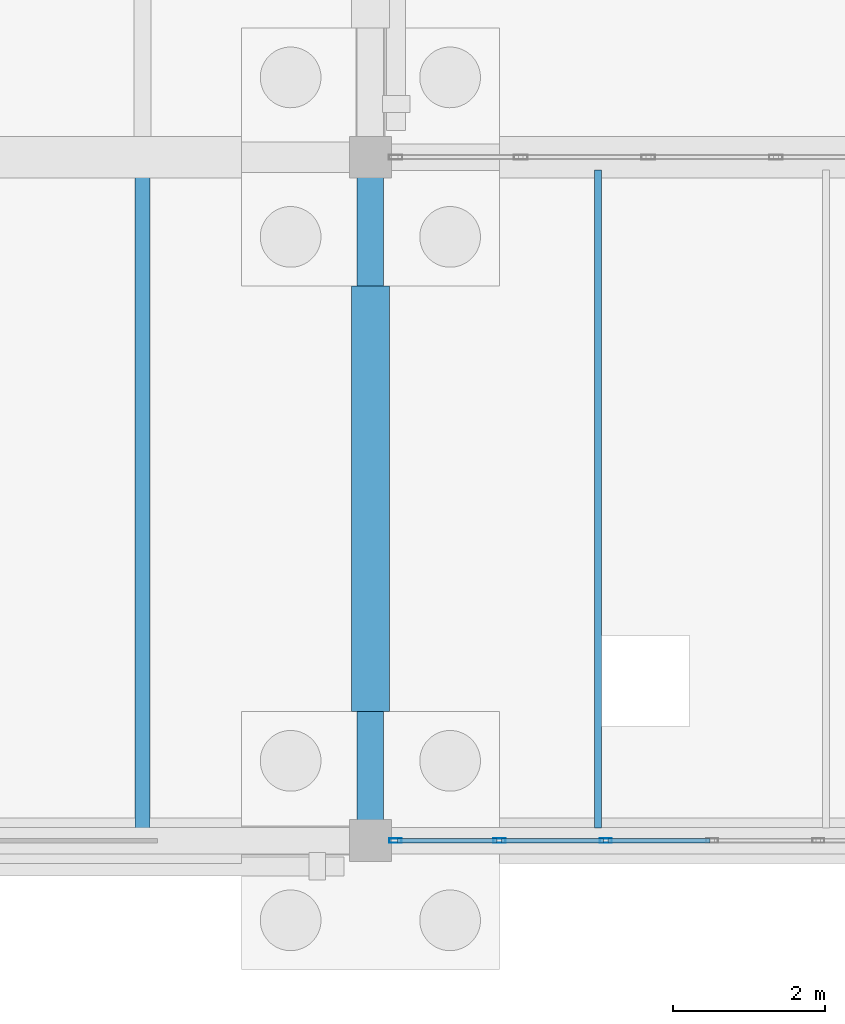
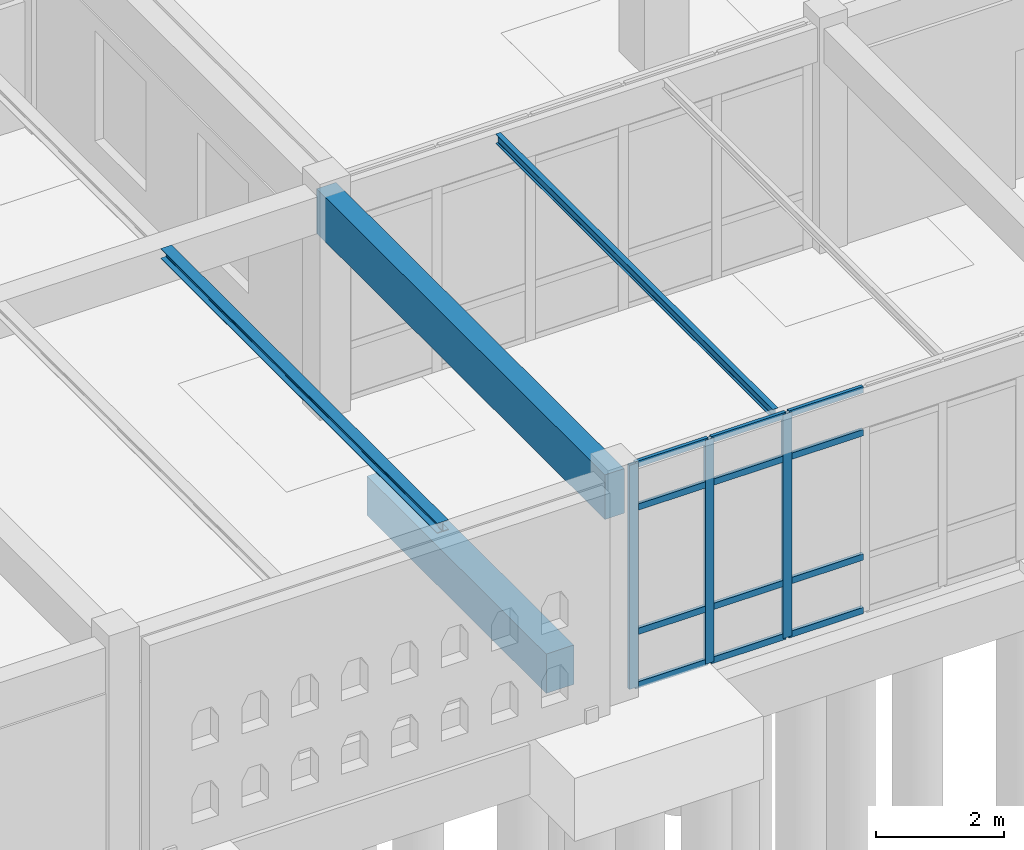
# One storey, part 24 of 186: 15 members, 4 beams, 1 element without a shape of its own.
"""IFC4 building model written with IfcOpenShell, lengths in metres."""

import ifcopenshell
import ifcopenshell.guid

model = None  # the IFC model being written
_history = None  # IfcOwnerHistory: only IFC2X3 demands one
_inside = {}  # id of a spatial element -> (the spatial element, [elements in it])
_under = {}  # id of a project, library or spatial element -> (it, [spatial elements below it])
_declared = {}  # id of a project -> (the project, [libraries it declares])
_typed = {}  # id of a type object -> (the type object, [elements of that type])
_made_of = {}  # id of a material, layer set ... -> (it, [elements and type objects made of it])


def new_model(schema):
    """Start an empty IFC model of exactly this schema.

    Asked for "IFC4X3", IfcOpenShell would pick the latest addendum, in which some entities
    have other attributes; the version numbers below select the first issue.
    IFC2X3 requires an IfcOwnerHistory on every rooted entity: one is made here for all.
    """
    global model, _history
    if schema == "IFC4X3":
        model = ifcopenshell.file(schema_version=(4, 3, 0, 0))
    else:
        model = ifcopenshell.file(schema=schema)
    _inside.clear()
    _under.clear()
    _declared.clear()
    _typed.clear()
    _made_of.clear()
    _history = None
    if model.schema == "IFC2X3":
        org = make("IfcOrganization", Name="unknown")
        user = make(
            "IfcPersonAndOrganization",
            ThePerson=make("IfcPerson", FamilyName="unknown"),
            TheOrganization=org,
        )
        app = make(
            "IfcApplication",
            ApplicationDeveloper=org,
            Version="unknown",
            ApplicationFullName="unknown",
            ApplicationIdentifier="unknown",
        )
        _history = make(
            "IfcOwnerHistory",
            OwningUser=user,
            OwningApplication=app,
            ChangeAction="ADDED",
            CreationDate=0,
        )
    return model


def make(cls, **values):
    """One entity of the class cls with the attributes given. An attribute that is None is left unset."""
    return model.create_entity(
        cls, **{name: value for name, value in values.items() if value is not None}
    )


def rooted(cls, **values):
    """An entity with a GlobalId (a new one), such as an element, a storey or a relation."""
    return make(cls, GlobalId=ifcopenshell.guid.new(), OwnerHistory=_history, **values)


def si_unit(unit_type, name, prefix=None):
    """IfcSIUnit, for example si_unit("LENGTHUNIT", "METRE", prefix="MILLI")."""
    return make("IfcSIUnit", UnitType=unit_type, Prefix=prefix, Name=name)


def assignment(units):
    """IfcUnitAssignment: the units of a project."""
    return None if units is None else make("IfcUnitAssignment", Units=units)


def point(xyz):
    """IfcCartesianPoint."""
    return None if xyz is None else make("IfcCartesianPoint", Coordinates=xyz)


def direction(xyz):
    """IfcDirection."""
    return None if xyz is None else make("IfcDirection", DirectionRatios=xyz)


def frame(location, z_axis=None, x_axis=None):
    """IfcAxis2Placement3D, a coordinate frame: its origin and axes. An axis left out is left unset."""
    return make(
        "IfcAxis2Placement3D",
        Location=point(location),
        Axis=direction(z_axis),
        RefDirection=direction(x_axis),
    )


def frame_2d(location, x_axis=None):
    """IfcAxis2Placement2D, a coordinate frame in the plane: its origin and x axis."""
    return make(
        "IfcAxis2Placement2D", Location=point(location), RefDirection=direction(x_axis)
    )


def origin():
    """The frame at (0, 0, 0) with its axes left unset."""
    return frame((0.0, 0.0, 0.0))


def origin_2d():
    """The frame at (0, 0) in the plane with its x axis left unset."""
    return frame_2d((0.0, 0.0))


def place(relative_to, where):
    """IfcLocalPlacement: puts the frame where relative to a parent placement (None: the world)."""
    return make(
        "IfcLocalPlacement", PlacementRelTo=relative_to, RelativePlacement=where
    )


def context(
    kind, dimensions, precision=None, world=None, true_north=None, identifier=None
):
    """IfcGeometricRepresentationContext, for example the 3D "Model" context."""
    return make(
        "IfcGeometricRepresentationContext",
        ContextIdentifier=identifier,
        ContextType=kind,
        CoordinateSpaceDimension=dimensions,
        Precision=precision,
        WorldCoordinateSystem=world,
        TrueNorth=true_north,
    )


def subcontext(parent, identifier, kind, view, scale=None):
    """IfcGeometricRepresentationSubContext, for example "Body" below "Model"."""
    return make(
        "IfcGeometricRepresentationSubContext",
        ContextIdentifier=identifier,
        ContextType=kind,
        ParentContext=parent,
        TargetScale=scale,
        TargetView=view,
    )


def project(units=None, contexts=None):
    """IfcProject with its units and contexts."""
    return rooted(
        "IfcProject",
        Name="project",
        RepresentationContexts=contexts,
        UnitsInContext=assignment(units),
    )


def spatial(cls, under=None, at=None, **own):
    """A site, building, storey or space (cls), placed at a placement, below another one or the project."""
    s = rooted(cls, ObjectPlacement=at, **own)
    if under is not None:
        _under.setdefault(under.id(), (under, []))[1].append(s)
    return s


def profile(cls, at=None, kind="AREA", **sizes):
    """A parametric profile (cls). Its sizes go by their IFC names, for example OverallWidth=200.0."""
    return make(cls, ProfileType=kind, Position=at, **sizes)


def rectangle(**sizes):
    """IfcRectangleProfileDef."""
    return profile("IfcRectangleProfileDef", **sizes)


def hollow_rectangle(**sizes):
    """IfcRectangleHollowProfileDef."""
    return profile("IfcRectangleHollowProfileDef", **sizes)


def i_section(**sizes):
    """IfcIShapeProfileDef."""
    return profile("IfcIShapeProfileDef", **sizes)


def extrude(swept, where, along, depth):
    """IfcExtrudedAreaSolid: the profile swept, set in the frame where, extruded along a direction by depth."""
    return make(
        "IfcExtrudedAreaSolid",
        SweptArea=swept,
        Position=where,
        ExtrudedDirection=direction(along),
        Depth=depth,
    )


def shape(context_of_items, identifier, shape_type, items):
    """IfcShapeRepresentation: the items that make up one representation, for example the "Body"."""
    return make(
        "IfcShapeRepresentation",
        ContextOfItems=context_of_items,
        RepresentationIdentifier=identifier,
        RepresentationType=shape_type,
        Items=items,
    )


def material(Name=None, Category=None):
    """IfcMaterial."""
    return make("IfcMaterial", Name=Name, Category=Category)


def layer(
    of_material, thickness, ventilated=None, Name=None, Category=None, Priority=None
):
    """IfcMaterialLayer: one layer of a wall or slab, of a material (None: an air gap)."""
    return make(
        "IfcMaterialLayer",
        Material=of_material,
        LayerThickness=thickness,
        IsVentilated=ventilated,
        Name=Name,
        Category=Category,
        Priority=Priority,
    )


def layer_set(layers, Name=None):
    """IfcMaterialLayerSet."""
    return make("IfcMaterialLayerSet", MaterialLayers=layers, LayerSetName=Name)


def material_profile(
    of_material, cross_section, Name=None, Category=None, Priority=None
):
    """IfcMaterialProfile: a cross section and its material."""
    return make(
        "IfcMaterialProfile",
        Name=Name,
        Material=of_material,
        Profile=cross_section,
        Priority=Priority,
        Category=Category,
    )


def profile_set(profiles, Name=None, composite=None):
    """IfcMaterialProfileSet."""
    return make(
        "IfcMaterialProfileSet",
        Name=Name,
        MaterialProfiles=profiles,
        CompositeProfile=composite,
    )


def made_of(thing, what):
    """Note that an element or type object is made of a material, layer set ...; save() writes the relation."""
    if what is not None:
        _made_of.setdefault(what.id(), (what, []))[1].append(thing)
    return thing


def type_object(cls, material=None, **own):
    """A type object (cls), such as IfcWallType, which elements share."""
    return made_of(rooted(cls, **own), material)


def element(
    cls,
    number,
    at=None,
    inside=None,
    cuts=None,
    type_object=None,
    material=None,
    context=None,
    identifier="Body",
    shape_type=None,
    held_by="IfcProductDefinitionShape",
    body=None,
    shapes=None,
    **own,
):
    """One element of the class cls, such as IfcWall. Its Tag is "e" and its number.

    at: its placement. inside: the storey or other place that contains it. cuts: it is an
    opening in that element (IfcRelVoidsElement). A single representation is given by context,
    identifier, shape_type and body (its items); several are given by shapes. held_by: the class
    of the entity that holds the representations. save() writes the other relations.
    """
    e = rooted(cls, Tag="e%d" % number, ObjectPlacement=at, **own)
    if body is not None:
        shapes = [shape(context, identifier, shape_type, body)]
    if shapes is not None:
        e.Representation = make(held_by, Representations=shapes)
    if inside is not None:
        _inside.setdefault(inside.id(), (inside, []))[1].append(e)
    if cuts is not None:
        rooted(
            "IfcRelVoidsElement", RelatingBuildingElement=cuts, RelatedOpeningElement=e
        )
    if type_object is not None:
        _typed.setdefault(type_object.id(), (type_object, []))[1].append(e)
    return made_of(e, material)


def aggregate(whole, parts):
    """IfcRelAggregates: a whole, such as a stair, and the parts it consists of."""
    return rooted("IfcRelAggregates", RelatingObject=whole, RelatedObjects=parts)


def save(model, path):
    """Write the relations noted so far, then the file.

    IfcRelAggregates (storeys below a building ...), IfcRelContainedInSpatialStructure (elements
    in a storey), IfcRelDefinesByType, IfcRelAssociatesMaterial and IfcRelDeclares: one each for
    every whole, place, type object, material and project.
    """
    for whole, parts in _under.values():
        aggregate(whole, parts)
    for where, things in _inside.values():
        rooted(
            "IfcRelContainedInSpatialStructure",
            RelatedElements=things,
            RelatingStructure=where,
        )
    for kind, things in _typed.values():
        rooted("IfcRelDefinesByType", RelatedObjects=things, RelatingType=kind)
    for what, things in _made_of.values():
        rooted("IfcRelAssociatesMaterial", RelatedObjects=things, RelatingMaterial=what)
    for by, libraries in _declared.values():
        rooted("IfcRelDeclares", RelatingContext=by, RelatedDefinitions=libraries)
    model.write(path)


model = new_model("IFC4")

# Units and contexts
model_context = context("Model", 3, precision=1e-05, world=origin(), true_north=direction((0.0, 1.0)))
body_context = subcontext(model_context, "Body", "Model", "MODEL_VIEW")
ifc_project = project(units=[si_unit("LENGTHUNIT", "METRE"), si_unit("AREAUNIT", "SQUARE_METRE"), si_unit("VOLUMEUNIT", "CUBIC_METRE"), si_unit("PLANEANGLEUNIT", "RADIAN"), si_unit("MASSUNIT", "GRAM", prefix="KILO")], contexts=[model_context])

# Site, building, storey
site_placement = place(None, origin())
site = spatial("IfcSite", under=ifc_project, at=site_placement, CompositionType="ELEMENT")
building_placement = place(site_placement, origin())
building = spatial("IfcBuilding", under=site, at=building_placement, Name="Ornek Quay Market", CompositionType="ELEMENT")
storey_placement = place(building_placement, origin())
storey = spatial("IfcBuildingStorey", under=building, at=storey_placement, Name="L00", CompositionType="ELEMENT", Elevation=0.0)

# Beams
ifc_material_1 = material(Name="Concrete C35/45", Category="concrete")
ifc_material_profile_1 = material_profile(ifc_material_1, rectangle(XDim=0.5, YDim=0.75, at=origin_2d()), Name="RC 500x750", Category="concrete")
ifc_profile_set_1 = profile_set([ifc_material_profile_1], Name="Concrete C35/45")
beam_type_1 = type_object("IfcBeamType", Name="BM-GB-500x750", PredefinedType="BEAM", material=ifc_profile_set_1)
beam_1_placement = place(storey_placement, frame((27.0, 21.699951171875, -0.574951171875), z_axis=(0.0, 1.0, 0.0), x_axis=(-1.0, 0.0, 0.0)))
element("IfcBeam", 1, at=beam_1_placement, inside=storey, type_object=beam_type_1, Name="Ground tie beam GB-077", PredefinedType="BEAM", context=body_context, shape_type="SweptSolid", body=[
    extrude(rectangle(XDim=0.5, YDim=0.75, at=origin_2d()), origin(), (0.0, 0.0, 1.0), 5.60009765625),
])
ifc_material_2 = material(Name="Concrete C40/50", Category="concrete")
ifc_material_profile_2 = material_profile(ifc_material_2, rectangle(XDim=0.35009765625, YDim=0.85009765625, at=origin_2d()), Name="RC 350x850", Category="concrete")
ifc_profile_set_2 = profile_set([ifc_material_profile_2], Name="Concrete C40/50")
beam_type_2 = type_object("IfcBeamType", Name="BM-SPN-350x850", PredefinedType="SPANDREL", material=ifc_profile_set_2)
beam_2_placement = place(storey_placement, frame((27.0, 20.0, 3.794921875), z_axis=(0.0, 1.0, 0.0), x_axis=(-1.0, 0.0, 0.0)))
element("IfcBeam", 2, at=beam_2_placement, inside=storey, type_object=beam_type_2, Name="Primary beam B-SP1-060", PredefinedType="SPANDREL", context=body_context, shape_type="SweptSolid", body=[
    extrude(rectangle(XDim=0.35009765625, YDim=0.85009765625, at=origin_2d()), origin(), (0.0, 0.0, 1.0), 9.0),
])
ifc_material_3 = material(Name="Steel S355", Category="steel")
ifc_material_profile_3 = material_profile(ifc_material_3, i_section(OverallWidth=0.199951171875, OverallDepth=0.18994140625, WebThickness=0.006591796875, FlangeThickness=0.010009765625, FilletRadius=0.01806640625, at=origin_2d()), Name="HEA 200", Category="steel")
ifc_profile_set_3 = profile_set([ifc_material_profile_3], Name="Steel S355")
beam_type_3 = type_object("IfcBeamType", Name="BM-STL-HEA200", PredefinedType="BEAM", material=ifc_profile_set_3)
beam_3_placement = place(storey_placement, frame((24.0, 20.1669921875, 4.125), z_axis=(0.0, 1.0, 0.0), x_axis=(-1.0, 0.0, 0.0)))
element("IfcBeam", 3, at=beam_3_placement, inside=storey, type_object=beam_type_3, Name="Secondary joist SB-12-012", PredefinedType="BEAM", context=body_context, shape_type="SweptSolid", body=[
    extrude(i_section(OverallWidth=0.199951171875, OverallDepth=0.18994140625, WebThickness=0.006591796875, FlangeThickness=0.010009765625, FilletRadius=0.01806640625, at=origin_2d()), origin(), (0.0, 0.0, 1.0), 8.64111328125),
])
ifc_material_profile_4 = material_profile(ifc_material_3, i_section(OverallWidth=0.091064453125, OverallDepth=0.179931640625, WebThickness=0.00537109375, FlangeThickness=0.008056640625, FilletRadius=0.009033203125, at=origin_2d()), Name="IPE 180", Category="steel")
ifc_profile_set_4 = profile_set([ifc_material_profile_4], Name="Steel S355")
beam_type_4 = type_object("IfcBeamType", Name="BM-STL-IPE180", PredefinedType="JOIST", material=ifc_profile_set_4)
beam_4_placement = place(storey_placement, frame((30.0, 20.1669921875, 4.179931640625), z_axis=(0.0, 1.0, 0.0), x_axis=(-1.0, 0.0, 0.0)))
element("IfcBeam", 4, at=beam_4_placement, inside=storey, type_object=beam_type_4, Name="Secondary joist SB-01-005", PredefinedType="JOIST", context=body_context, shape_type="SweptSolid", body=[
    extrude(i_section(OverallWidth=0.091064453125, OverallDepth=0.179931640625, WebThickness=0.00537109375, FlangeThickness=0.008056640625, FilletRadius=0.009033203125, at=origin_2d()), origin(), (0.0, 0.0, 1.0), 8.666015625),
])

# Curtain wall, members
ifc_material_4 = material(Name="Anodised bronze aluminium and triple low-e glass", Category="aluminium")
ifc_layer = layer(ifc_material_4, 0.179931640625, Name="Anodised bronze aluminium and triple low-e glass", Category="aluminium")
ifc_layer_set = layer_set([ifc_layer], Name="Anodised bronze aluminium and triple low-e glass")
curtain_wall_type = type_object("IfcCurtainWallType", Name="CW-CONC-MOD1500", PredefinedType="USERDEFINED", material=ifc_layer_set)
curtain_wall_placement = place(storey_placement, origin())
curtain_wall = element("IfcCurtainWall", 5, at=curtain_wall_placement, inside=storey, type_object=curtain_wall_type, Name="Curtain wall CW-008", ObjectType="CURTAIN WALL", PredefinedType="USERDEFINED")
ifc_material_5 = material(Name="Anodised aluminium 6063-T6", Category="aluminium")
ifc_material_profile_5 = material_profile(ifc_material_5, hollow_rectangle(XDim=0.06005859375, YDim=0.159912109375, WallThickness=0.00390625, at=origin_2d()), Name="CW-MUL-60x160", Category="aluminium")
ifc_profile_set_5 = profile_set([ifc_material_profile_5], Name="Anodised aluminium 6063-T6")
member_type_1 = type_object("IfcMemberType", Name="CW-MUL-60x160", PredefinedType="MULLION", material=ifc_profile_set_5)
member_1_placement = place(storey_placement, frame((27.330078125, 20.0, 0.0), z_axis=(0.0, 0.0, 1.0), x_axis=(0.0, 1.0, 0.0)))
member_1 = element("IfcMember", 6, at=member_1_placement, type_object=member_type_1, Name="CW-008 mullion 1", PredefinedType="MULLION", context=body_context, shape_type="SweptSolid", body=[
    extrude(hollow_rectangle(XDim=0.06005859375, YDim=0.159912109375, WallThickness=0.00390625, at=origin_2d()), origin(), (0.0, 0.0, 1.0), 4.27001953125),
])
member_2_placement = place(storey_placement, frame((28.699951171875, 20.0, 0.0), z_axis=(0.0, 0.0, 1.0), x_axis=(0.0, 1.0, 0.0)))
member_2 = element("IfcMember", 7, at=member_2_placement, type_object=member_type_1, Name="CW-008 mullion 2", PredefinedType="MULLION", context=body_context, shape_type="SweptSolid", body=[
    extrude(hollow_rectangle(XDim=0.06005859375, YDim=0.159912109375, WallThickness=0.00390625, at=origin_2d()), origin(), (0.0, 0.0, 1.0), 4.27001953125),
])
member_3_placement = place(storey_placement, frame((30.10009765625, 20.0, 0.0), z_axis=(0.0, 0.0, 1.0), x_axis=(0.0, 1.0, 0.0)))
member_3 = element("IfcMember", 8, at=member_3_placement, type_object=member_type_1, Name="CW-008 mullion 3", PredefinedType="MULLION", context=body_context, shape_type="SweptSolid", body=[
    extrude(hollow_rectangle(XDim=0.06005859375, YDim=0.159912109375, WallThickness=0.00390625, at=origin_2d()), origin(), (0.0, 0.0, 1.0), 4.27001953125),
])
ifc_material_profile_6 = material_profile(ifc_material_5, hollow_rectangle(XDim=0.06005859375, YDim=0.1201171875, WallThickness=0.00390625, at=origin_2d()), Name="CW-TRN-60x120", Category="aluminium")
ifc_profile_set_6 = profile_set([ifc_material_profile_6], Name="Anodised aluminium 6063-T6")
member_type_2 = type_object("IfcMemberType", Name="CW-TRN-60x120", PredefinedType="USERDEFINED", material=ifc_profile_set_6)
member_4_placement = place(storey_placement, frame((27.360107421875, 20.0, 0.030029296875), z_axis=(1.0, 0.0, 0.0), x_axis=(0.0, 1.0, 0.0)))
member_4 = element("IfcMember", 9, at=member_4_placement, type_object=member_type_2, Name="CW-008 transom 1.1", ObjectType="TRANSOM", PredefinedType="USERDEFINED", context=body_context, shape_type="SweptSolid", body=[
    extrude(hollow_rectangle(XDim=0.06005859375, YDim=0.1201171875, WallThickness=0.00390625, at=origin_2d()), origin(), (0.0, 0.0, 1.0), 1.309814453125),
])
member_5_placement = place(storey_placement, frame((27.360107421875, 20.0, 1.050048828125), z_axis=(1.0, 0.0, 0.0), x_axis=(0.0, 1.0, 0.0)))
member_5 = element("IfcMember", 10, at=member_5_placement, type_object=member_type_2, Name="CW-008 transom 1.2", ObjectType="TRANSOM", PredefinedType="USERDEFINED", context=body_context, shape_type="SweptSolid", body=[
    extrude(hollow_rectangle(XDim=0.06005859375, YDim=0.1201171875, WallThickness=0.00390625, at=origin_2d()), origin(), (0.0, 0.0, 1.0), 1.309814453125),
])
member_6_placement = place(storey_placement, frame((27.360107421875, 20.0, 3.419921875), z_axis=(1.0, 0.0, 0.0), x_axis=(0.0, 1.0, 0.0)))
member_6 = element("IfcMember", 11, at=member_6_placement, type_object=member_type_2, Name="CW-008 transom 1.3", ObjectType="TRANSOM", PredefinedType="USERDEFINED", context=body_context, shape_type="SweptSolid", body=[
    extrude(hollow_rectangle(XDim=0.06005859375, YDim=0.1201171875, WallThickness=0.00390625, at=origin_2d()), origin(), (0.0, 0.0, 1.0), 1.309814453125),
])
member_7_placement = place(storey_placement, frame((27.360107421875, 20.0, 4.239990234375), z_axis=(1.0, 0.0, 0.0), x_axis=(0.0, 1.0, 0.0)))
member_7 = element("IfcMember", 12, at=member_7_placement, type_object=member_type_2, Name="CW-008 transom 1.4", ObjectType="TRANSOM", PredefinedType="USERDEFINED", context=body_context, shape_type="SweptSolid", body=[
    extrude(hollow_rectangle(XDim=0.06005859375, YDim=0.1201171875, WallThickness=0.00390625, at=origin_2d()), origin(), (0.0, 0.0, 1.0), 1.309814453125),
])
member_8_placement = place(storey_placement, frame((28.72998046875, 20.0, 0.030029296875), z_axis=(1.0, 0.0, 0.0), x_axis=(0.0, 1.0, 0.0)))
member_8 = element("IfcMember", 13, at=member_8_placement, type_object=member_type_2, Name="CW-008 transom 2.1", ObjectType="TRANSOM", PredefinedType="USERDEFINED", context=body_context, shape_type="SweptSolid", body=[
    extrude(hollow_rectangle(XDim=0.06005859375, YDim=0.1201171875, WallThickness=0.00390625, at=origin_2d()), origin(), (0.0, 0.0, 1.0), 1.340087890625),
])
member_9_placement = place(storey_placement, frame((28.72998046875, 20.0, 1.050048828125), z_axis=(1.0, 0.0, 0.0), x_axis=(0.0, 1.0, 0.0)))
member_9 = element("IfcMember", 14, at=member_9_placement, type_object=member_type_2, Name="CW-008 transom 2.2", ObjectType="TRANSOM", PredefinedType="USERDEFINED", context=body_context, shape_type="SweptSolid", body=[
    extrude(hollow_rectangle(XDim=0.06005859375, YDim=0.1201171875, WallThickness=0.00390625, at=origin_2d()), origin(), (0.0, 0.0, 1.0), 1.340087890625),
])
member_10_placement = place(storey_placement, frame((28.72998046875, 20.0, 3.419921875), z_axis=(1.0, 0.0, 0.0), x_axis=(0.0, 1.0, 0.0)))
member_10 = element("IfcMember", 15, at=member_10_placement, type_object=member_type_2, Name="CW-008 transom 2.3", ObjectType="TRANSOM", PredefinedType="USERDEFINED", context=body_context, shape_type="SweptSolid", body=[
    extrude(hollow_rectangle(XDim=0.06005859375, YDim=0.1201171875, WallThickness=0.00390625, at=origin_2d()), origin(), (0.0, 0.0, 1.0), 1.340087890625),
])
member_11_placement = place(storey_placement, frame((28.72998046875, 20.0, 4.239990234375), z_axis=(1.0, 0.0, 0.0), x_axis=(0.0, 1.0, 0.0)))
member_11 = element("IfcMember", 16, at=member_11_placement, type_object=member_type_2, Name="CW-008 transom 2.4", ObjectType="TRANSOM", PredefinedType="USERDEFINED", context=body_context, shape_type="SweptSolid", body=[
    extrude(hollow_rectangle(XDim=0.06005859375, YDim=0.1201171875, WallThickness=0.00390625, at=origin_2d()), origin(), (0.0, 0.0, 1.0), 1.340087890625),
])
member_12_placement = place(storey_placement, frame((30.1298828125, 20.0, 0.030029296875), z_axis=(1.0, 0.0, 0.0), x_axis=(0.0, 1.0, 0.0)))
member_12 = element("IfcMember", 17, at=member_12_placement, type_object=member_type_2, Name="CW-008 transom 3.1", ObjectType="TRANSOM", PredefinedType="USERDEFINED", context=body_context, shape_type="SweptSolid", body=[
    extrude(hollow_rectangle(XDim=0.06005859375, YDim=0.1201171875, WallThickness=0.00390625, at=origin_2d()), origin(), (0.0, 0.0, 1.0), 1.340087890625),
])
member_13_placement = place(storey_placement, frame((30.1298828125, 20.0, 1.050048828125), z_axis=(1.0, 0.0, 0.0), x_axis=(0.0, 1.0, 0.0)))
member_13 = element("IfcMember", 18, at=member_13_placement, type_object=member_type_2, Name="CW-008 transom 3.2", ObjectType="TRANSOM", PredefinedType="USERDEFINED", context=body_context, shape_type="SweptSolid", body=[
    extrude(hollow_rectangle(XDim=0.06005859375, YDim=0.1201171875, WallThickness=0.00390625, at=origin_2d()), origin(), (0.0, 0.0, 1.0), 1.340087890625),
])
member_14_placement = place(storey_placement, frame((30.1298828125, 20.0, 3.419921875), z_axis=(1.0, 0.0, 0.0), x_axis=(0.0, 1.0, 0.0)))
member_14 = element("IfcMember", 19, at=member_14_placement, type_object=member_type_2, Name="CW-008 transom 3.3", ObjectType="TRANSOM", PredefinedType="USERDEFINED", context=body_context, shape_type="SweptSolid", body=[
    extrude(hollow_rectangle(XDim=0.06005859375, YDim=0.1201171875, WallThickness=0.00390625, at=origin_2d()), origin(), (0.0, 0.0, 1.0), 1.340087890625),
])
member_15_placement = place(storey_placement, frame((30.1298828125, 20.0, 4.239990234375), z_axis=(1.0, 0.0, 0.0), x_axis=(0.0, 1.0, 0.0)))
member_15 = element("IfcMember", 20, at=member_15_placement, type_object=member_type_2, Name="CW-008 transom 3.4", ObjectType="TRANSOM", PredefinedType="USERDEFINED", context=body_context, shape_type="SweptSolid", body=[
    extrude(hollow_rectangle(XDim=0.06005859375, YDim=0.1201171875, WallThickness=0.00390625, at=origin_2d()), origin(), (0.0, 0.0, 1.0), 1.340087890625),
])
aggregate(curtain_wall, [member_1, member_2, member_3, member_4, member_5, member_6, member_7, member_8, member_9, member_10, member_11, member_12, member_13, member_14, member_15])

save(model, "model.ifc")
